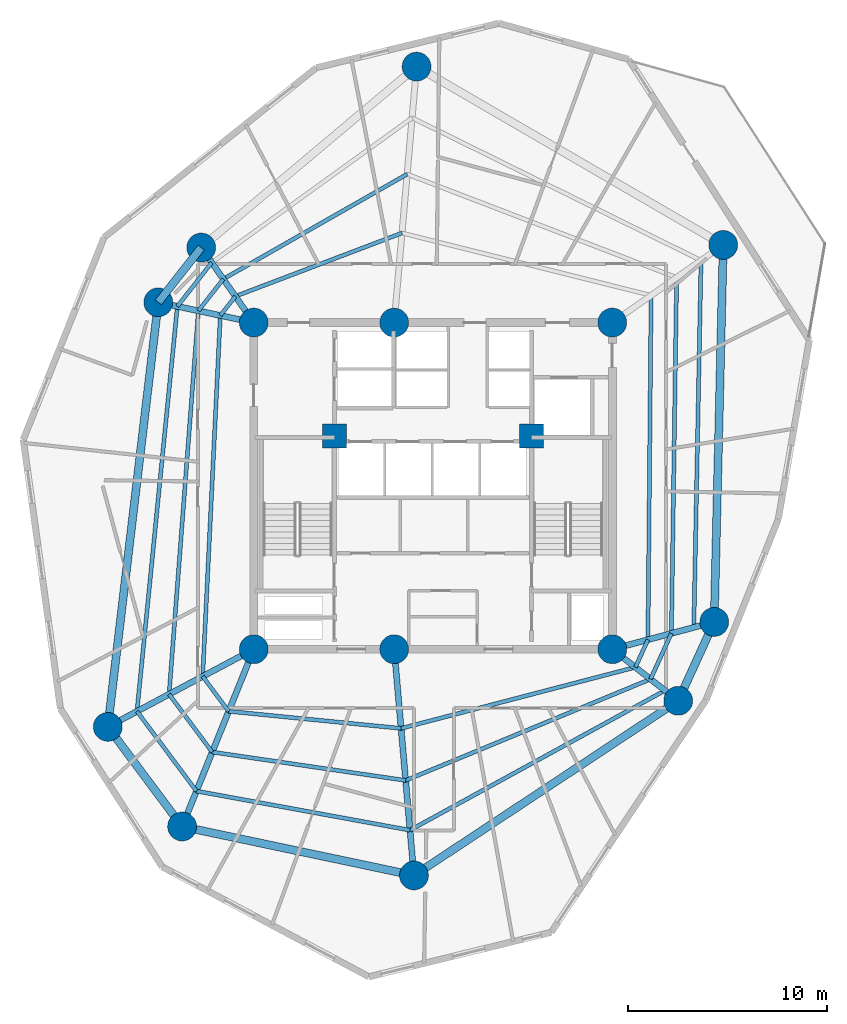
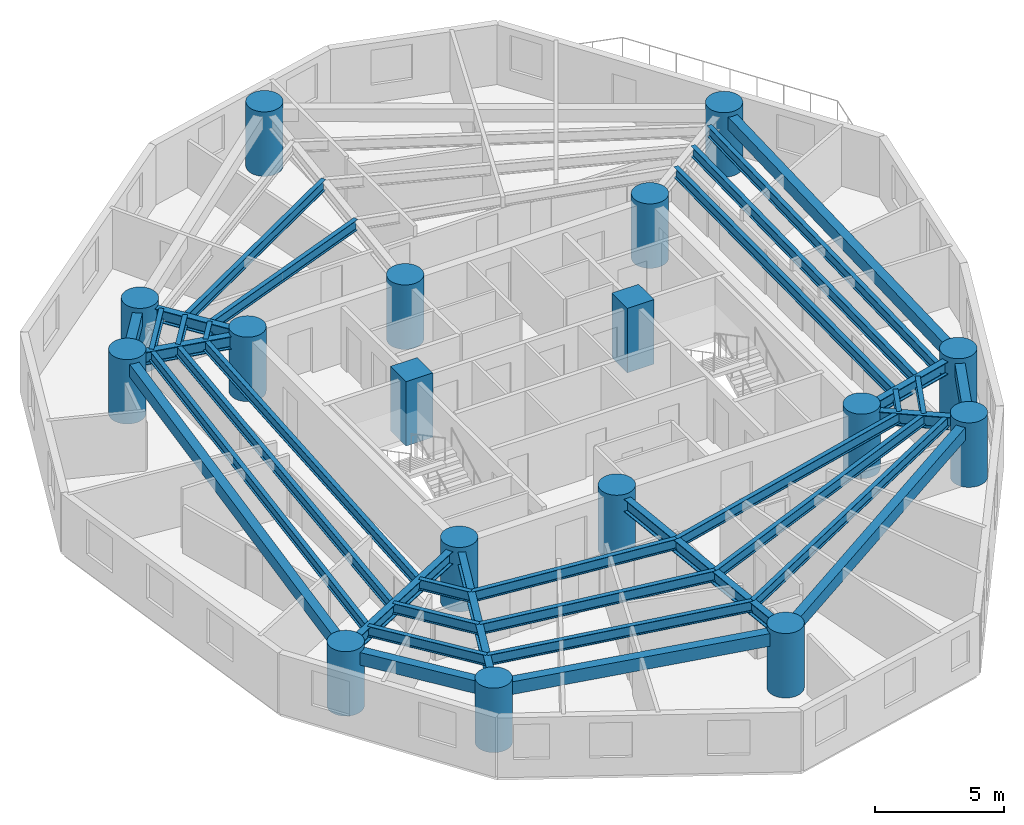
# One storey, part 1 of 8: 36 beams, 17 columns.
"""IFC4 building model written with IfcOpenShell, lengths in metres."""

from ifc_helpers import new_model, si_unit, direction, frame, origin, origin_with_axes, origin_2d, place, context, subcontext, project, spatial, rectangle, circle, i_section, extrude, source, transform, mapped, material, material_profile, profile_set, type_object, element, save


model = new_model("IFC4")

# Units and contexts
model_context = context("Model", 3, precision=1e-05, world=origin(), true_north=direction((0.0, 1.0)))
body_context = subcontext(model_context, "Body", "Model", "MODEL_VIEW")
ifc_project = project(units=[si_unit("LENGTHUNIT", "METRE"), si_unit("AREAUNIT", "SQUARE_METRE"), si_unit("VOLUMEUNIT", "CUBIC_METRE"), si_unit("PLANEANGLEUNIT", "RADIAN"), si_unit("MASSUNIT", "GRAM", prefix="KILO")], contexts=[model_context])

# Site, building, storey
site_placement = place(None, origin())
site = spatial("IfcSite", under=ifc_project, at=site_placement, CompositionType="ELEMENT")
building_placement = place(site_placement, origin())
building = spatial("IfcBuilding", under=site, at=building_placement, Name="Karkom Vertical University and Central Library", CompositionType="ELEMENT")
storey_placement = place(building_placement, frame((0.0, 0.0, 132.800048828125)))
storey = spatial("IfcBuildingStorey", under=building, at=storey_placement, Name="L37", CompositionType="ELEMENT", Elevation=132.800048828125)

# Columns
ifc_material_1 = material(Name="Concrete C50/60", Category="concrete")
ifc_material_profile_1 = material_profile(ifc_material_1, circle(Radius=0.72509765625, at=origin_2d()), Name="CFT-D1450")
ifc_profile_set_1 = profile_set([ifc_material_profile_1], Name="Concrete C50/60")
column_type_1 = type_object("IfcColumnType", Name="STR-COL-C-SC3", PredefinedType="COLUMN", material=ifc_profile_set_1)
shared_shape_1 = source(origin_with_axes(), body_context, "Body", "SweptSolid", [
    extrude(circle(Radius=0.72509765625, at=origin_2d()), origin(), (0.0, 0.0, 1.0), 3.050048828125),
])
for number, where, z_axis, x_axis, name in (
    (1, (19.5, 18.300048828125, 0.0), (0.0, 0.0, 1.0), (1.0, 0.0, 0.0), "Level 37 Spine Mega-Column SC-1"),
    (2, (26.550048828125, 18.300048828125, 0.0), (0.0, 0.0, 1.0), (1.0, 0.0, 0.0), "Level 37 Spine Mega-Column SC-2"),
    (3, (37.5, 18.300048828125, 0.0), (0.0, 0.0, 1.0), (1.0, 0.0, 0.0), "Level 37 Spine Mega-Column SC-3"),
    (4, (19.5, 34.699951171875, 0.0), (0.0, 0.0, 1.0), (1.0, 0.0, 0.0), "Level 37 Spine Mega-Column SC-4"),
    (5, (26.550048828125, 34.699951171875, 0.0), (0.0, 0.0, 1.0), (1.0, 0.0, 0.0), "Level 37 Spine Mega-Column SC-5"),
    (6, (37.5, 34.699951171875, 0.0), (0.0, 0.0, 1.0), (1.0, 0.0, 0.0), "Level 37 Spine Mega-Column SC-6"),
    (7, (42.618896484375, 19.672119140625, 0.0), (0.0, 0.0, 1.0), (1.0, 0.0, 0.0), "Level 37 Perimeter Mega-Column Z2-PC1"),
    (8, (43.070068359375, 38.60009765625, 0.0), (0.0, 0.0, 1.0), (1.0, 0.0, 0.0), "Level 37 Perimeter Mega-Column Z2-PC2"),
    (9, (27.674072265625, 47.551025390625, 0.0), (0.0, 0.0, 1.0), (1.0, 0.0, 0.0), "Level 37 Perimeter Mega-Column Z2-PC3"),
    (10, (16.862060546875, 38.468017578125, 0.0), (0.0, 0.0, 1.0), (1.0, 0.0, 0.0), "Level 37 Perimeter Mega-Column Z2-PC4"),
    (11, (14.70703125, 35.718994140625, 0.0), (0.0, 0.0, 1.0), (1.0, 0.0, 0.0), "Level 37 Perimeter Mega-Column Z2-PC5"),
    (12, (12.172119140625, 14.403076171875, 0.0), (0.0, 0.0, 1.0), (1.0, 0.0, 0.0), "Level 37 Perimeter Mega-Column Z2-PC6"),
    (13, (15.904052734375, 9.39892578125, 0.0), (0.0, 0.0, 1.0), (1.0, 0.0, 0.0), "Level 37 Perimeter Mega-Column Z2-PC7"),
    (14, (27.5439453125, 6.943115234375, 0.0), (0.0, 0.0, 1.0), (1.0, 0.0, 0.0), "Level 37 Perimeter Mega-Column Z2-PC8"),
    (15, (40.81005859375, 15.714111328125, 0.0), (0.0, 0.0, 1.0), (1.0, 0.0, 0.0), "Level 37 Perimeter Mega-Column Z2-PC9"),
):
    element("IfcColumn", number, at=place(storey_placement, frame(where, z_axis=z_axis, x_axis=x_axis)), inside=storey, type_object=column_type_1, Name=name, PredefinedType="COLUMN", context=body_context, shape_type="MappedRepresentation", body=[
        mapped(shared_shape_1, transform((0.0, 0.0, 0.0), scale=1.0)),
    ])
ifc_material_profile_2 = material_profile(ifc_material_1, rectangle(XDim=1.199951171875, YDim=1.199951171875, at=origin_2d()), Name="RC-1200x1200")
ifc_profile_set_2 = profile_set([ifc_material_profile_2], Name="Concrete C50/60")
column_type_2 = type_object("IfcColumnType", Name="STR-COL-C-CC1", PredefinedType="COLUMN", material=ifc_profile_set_2)
shared_shape_2 = source(origin_with_axes(), body_context, "Body", "SweptSolid", [
    extrude(rectangle(XDim=1.199951171875, YDim=1.199951171875, at=origin_2d()), origin(), (0.0, 0.0, 1.0), 3.050048828125),
])
for number, where, z_axis, x_axis, name in (
    (16, (23.550048828125, 29.0, 0.0), (0.0, 0.0, 1.0), (1.0, 0.0, 0.0), "Level 37 Core Node Column CC-1"),
    (17, (33.449951171875, 29.0, 0.0), (0.0, 0.0, 1.0), (1.0, 0.0, 0.0), "Level 37 Core Node Column CC-2"),
):
    element("IfcColumn", number, at=place(storey_placement, frame(where, z_axis=z_axis, x_axis=x_axis)), inside=storey, type_object=column_type_2, Name=name, PredefinedType="COLUMN", context=body_context, shape_type="MappedRepresentation", body=[
        mapped(shared_shape_2, transform((0.0, 0.0, 0.0), scale=1.0)),
    ])

# Beams
ifc_material_2 = material(Name="Precast concrete C45/55", Category="concrete")
ifc_material_profile_3 = material_profile(ifc_material_2, rectangle(XDim=0.39990234375, YDim=0.60009765625, at=origin_2d()), Name="SPB-400x600")
ifc_profile_set_3 = profile_set([ifc_material_profile_3], Name="Precast concrete C45/55")
beam_type_1 = type_object("IfcBeamType", Name="STR-BM-SP-1", PredefinedType="SPANDREL", material=ifc_profile_set_3)
shared_shape_3 = source(origin_with_axes(), body_context, "Body", "SweptSolid", [
    extrude(rectangle(XDim=0.39990234375, YDim=0.60009765625, at=origin_2d()), origin(), (0.0, 0.0, 1.0), 18.933349609375),
])
beam_1_placement = place(storey_placement, frame((42.618896484375, 19.672119140625, 2.52490234375), z_axis=(0.02382947333, 0.999716037783, 0.0), x_axis=(-0.999716037783, 0.02382947333, 0.0)))
element("IfcBeam", 18, at=beam_1_placement, inside=storey, type_object=beam_type_1, Name="Level 37 Perimeter Spandrel Beam 01", PredefinedType="SPANDREL", context=body_context, shape_type="MappedRepresentation", body=[
    mapped(shared_shape_3, transform((0.0, 0.0, 0.0), scale=1.0)),
])
shared_shape_4 = source(origin_with_axes(), body_context, "Body", "SweptSolid", [
    extrude(rectangle(XDim=0.39990234375, YDim=0.60009765625, at=origin_2d()), origin(), (0.0, 0.0, 1.0), 3.492919921875),
])
beam_2_placement = place(storey_placement, frame((16.862060546875, 38.468017578125, 2.52490234375), z_axis=(-0.616950700538, -0.787001799938, 0.0), x_axis=(0.787001799938, -0.616950700538, 0.0)))
element("IfcBeam", 19, at=beam_2_placement, inside=storey, type_object=beam_type_1, Name="Level 37 Perimeter Spandrel Beam 04", PredefinedType="SPANDREL", context=body_context, shape_type="MappedRepresentation", body=[
    mapped(shared_shape_4, transform((0.0, 0.0, 0.0), scale=1.0)),
])
shared_shape_5 = source(origin_with_axes(), body_context, "Body", "SweptSolid", [
    extrude(rectangle(XDim=0.39990234375, YDim=0.60009765625, at=origin_2d()), origin(), (0.0, 0.0, 1.0), 21.466064453125),
])
beam_3_placement = place(storey_placement, frame((14.70703125, 35.718994140625, 2.52490234375), z_axis=(-0.118088996795, -0.993003015522, 0.0), x_axis=(0.993003015522, -0.118088996795, 0.0)))
element("IfcBeam", 20, at=beam_3_placement, inside=storey, type_object=beam_type_1, Name="Level 37 Perimeter Spandrel Beam 05", PredefinedType="SPANDREL", context=body_context, shape_type="MappedRepresentation", body=[
    mapped(shared_shape_5, transform((0.0, 0.0, 0.0), scale=1.0)),
])
shared_shape_6 = source(origin_with_axes(), body_context, "Body", "SweptSolid", [
    extrude(rectangle(XDim=0.39990234375, YDim=0.60009765625, at=origin_2d()), origin(), (0.0, 0.0, 1.0), 6.242431640625),
])
beam_4_placement = place(storey_placement, frame((12.172119140625, 14.403076171875, 2.52490234375), z_axis=(0.59782643552, -0.801625569074, 0.0), x_axis=(0.801625569074, 0.59782643552, 0.0)))
element("IfcBeam", 21, at=beam_4_placement, inside=storey, type_object=beam_type_1, Name="Level 37 Perimeter Spandrel Beam 06", PredefinedType="SPANDREL", context=body_context, shape_type="MappedRepresentation", body=[
    mapped(shared_shape_6, transform((0.0, 0.0, 0.0), scale=1.0)),
])
shared_shape_7 = source(origin_with_axes(), body_context, "Body", "SweptSolid", [
    extrude(rectangle(XDim=0.39990234375, YDim=0.60009765625, at=origin_2d()), origin(), (0.0, 0.0, 1.0), 11.896240234375),
])
beam_5_placement = place(storey_placement, frame((15.904052734375, 9.39892578125, 2.52490234375), z_axis=(0.978459762135, -0.206437627101, 0.0), x_axis=(0.206437627101, 0.978459762135, 0.0)))
element("IfcBeam", 22, at=beam_5_placement, inside=storey, type_object=beam_type_1, Name="Level 37 Perimeter Spandrel Beam 07", PredefinedType="SPANDREL", context=body_context, shape_type="MappedRepresentation", body=[
    mapped(shared_shape_7, transform((0.0, 0.0, 0.0), scale=1.0)),
])
shared_shape_8 = source(origin_with_axes(), body_context, "Body", "SweptSolid", [
    extrude(rectangle(XDim=0.39990234375, YDim=0.60009765625, at=origin_2d()), origin(), (0.0, 0.0, 1.0), 15.903564453125),
])
beam_6_placement = place(storey_placement, frame((27.5439453125, 6.943115234375, 2.52490234375), z_axis=(0.834165069331, 0.551514856652, 0.0), x_axis=(-0.551514856652, 0.834165069331, 0.0)))
element("IfcBeam", 23, at=beam_6_placement, inside=storey, type_object=beam_type_1, Name="Level 37 Perimeter Spandrel Beam 08", PredefinedType="SPANDREL", context=body_context, shape_type="MappedRepresentation", body=[
    mapped(shared_shape_8, transform((0.0, 0.0, 0.0), scale=1.0)),
])
shared_shape_9 = source(origin_with_axes(), body_context, "Body", "SweptSolid", [
    extrude(rectangle(XDim=0.39990234375, YDim=0.60009765625, at=origin_2d()), origin(), (0.0, 0.0, 1.0), 4.351806640625),
])
beam_7_placement = place(storey_placement, frame((40.81005859375, 15.714111328125, 2.52490234375), z_axis=(0.415657668422, 0.909521139217, 0.0), x_axis=(-0.909521139217, 0.415657668422, 0.0)))
element("IfcBeam", 24, at=beam_7_placement, inside=storey, type_object=beam_type_1, Name="Level 37 Perimeter Spandrel Beam 09", PredefinedType="SPANDREL", context=body_context, shape_type="MappedRepresentation", body=[
    mapped(shared_shape_9, transform((0.0, 0.0, 0.0), scale=1.0)),
])
ifc_material_3 = material(Name="Steel S355", Category="steel")
ifc_material_profile_4 = material_profile(ifc_material_3, i_section(OverallWidth=0.199951171875, OverallDepth=0.5, WebThickness=0.01025390625, FlangeThickness=0.01611328125, FilletRadius=0.02099609375, at=origin_2d()), Name="IPE 500")
ifc_profile_set_4 = profile_set([ifc_material_profile_4], Name="Steel S355")
beam_type_2 = type_object("IfcBeamType", Name="STR-BM-SB-IPE500", PredefinedType="BEAM", material=ifc_profile_set_4)
shared_shape_10 = source(origin_with_axes(), body_context, "Body", "SweptSolid", [
    extrude(i_section(OverallWidth=0.199951171875, OverallDepth=0.5, WebThickness=0.01025390625, FlangeThickness=0.01611328125, FilletRadius=0.02099609375, at=origin_2d()), origin(), (0.0, 0.0, 1.0), 17.285400390625),
])
beam_8_placement = place(storey_placement, frame((39.29150390625, 18.7802734375, 2.574951171875), z_axis=(0.009138294648, 0.999958244914, 0.0), x_axis=(-0.999958244914, 0.009138294648, 0.0)))
element("IfcBeam", 25, at=beam_8_placement, inside=storey, type_object=beam_type_2, Name="Level 37 Secondary Composite Floor Beam 1.01", PredefinedType="BEAM", context=body_context, shape_type="MappedRepresentation", body=[
    mapped(shared_shape_10, transform((0.0, 0.0, 0.0), scale=1.0)),
])
shared_shape_11 = source(origin_with_axes(), body_context, "Body", "SweptSolid", [
    extrude(i_section(OverallWidth=0.199951171875, OverallDepth=0.5, WebThickness=0.01025390625, FlangeThickness=0.01611328125, FilletRadius=0.02099609375, at=origin_2d()), origin(), (0.0, 0.0, 1.0), 8.950439453125),
])
beam_9_placement = place(storey_placement, frame((26.943359375, 39.197998046875, 2.574951171875), z_axis=(-0.93478901494, -0.355203459368, 0.0), x_axis=(0.355203459368, -0.93478901494, 0.0)))
element("IfcBeam", 26, at=beam_9_placement, inside=storey, type_object=beam_type_2, Name="Level 37 Secondary Composite Floor Beam 1.03", PredefinedType="BEAM", context=body_context, shape_type="MappedRepresentation", body=[
    mapped(shared_shape_11, transform((0.0, 0.0, 0.0), scale=1.0)),
])
shared_shape_12 = source(origin_with_axes(), body_context, "Body", "SweptSolid", [
    extrude(i_section(OverallWidth=0.199951171875, OverallDepth=0.5, WebThickness=0.01025390625, FlangeThickness=0.01611328125, FilletRadius=0.02099609375, at=origin_2d()), origin(), (0.0, 0.0, 1.0), 1.222412109375),
])
beam_10_placement = place(storey_placement, frame((18.57666015625, 36.018798828125, 2.574951171875), z_axis=(-0.616895037184, -0.787045432677, 0.0), x_axis=(0.787045432677, -0.616895037184, 0.0)))
element("IfcBeam", 27, at=beam_10_placement, inside=storey, type_object=beam_type_2, Name="Level 37 Secondary Composite Floor Beam 1.04", PredefinedType="BEAM", context=body_context, shape_type="MappedRepresentation", body=[
    mapped(shared_shape_12, transform((0.0, 0.0, 0.0), scale=1.0)),
])
shared_shape_13 = source(origin_with_axes(), body_context, "Body", "SweptSolid", [
    extrude(i_section(OverallWidth=0.199951171875, OverallDepth=0.5, WebThickness=0.01025390625, FlangeThickness=0.01611328125, FilletRadius=0.02099609375, at=origin_2d()), origin(), (0.0, 0.0, 1.0), 18.142333984375),
])
beam_11_placement = place(storey_placement, frame((17.822509765625, 35.056640625, 2.574951171875), z_axis=(-0.048902644774, -0.998803549921, 0.0), x_axis=(0.998803549921, -0.048902644774, 0.0)))
element("IfcBeam", 28, at=beam_11_placement, inside=storey, type_object=beam_type_2, Name="Level 37 Secondary Composite Floor Beam 1.05", PredefinedType="BEAM", context=body_context, shape_type="MappedRepresentation", body=[
    mapped(shared_shape_13, transform((0.0, 0.0, 0.0), scale=1.0)),
])
shared_shape_14 = source(origin_with_axes(), body_context, "Body", "SweptSolid", [
    extrude(i_section(OverallWidth=0.199951171875, OverallDepth=0.5, WebThickness=0.01025390625, FlangeThickness=0.01611328125, FilletRadius=0.02099609375, at=origin_2d()), origin(), (0.0, 0.0, 1.0), 2.1845703125),
])
beam_12_placement = place(storey_placement, frame((16.935302734375, 16.93603515625, 2.574951171875), z_axis=(0.597870130664, -0.801592980795, 0.0), x_axis=(0.801592980795, 0.597870130664, 0.0)))
element("IfcBeam", 29, at=beam_12_placement, inside=storey, type_object=beam_type_2, Name="Level 37 Secondary Composite Floor Beam 1.06", PredefinedType="BEAM", context=body_context, shape_type="MappedRepresentation", body=[
    mapped(shared_shape_14, transform((0.0, 0.0, 0.0), scale=1.0)),
])
shared_shape_15 = source(origin_with_axes(), body_context, "Body", "SweptSolid", [
    extrude(i_section(OverallWidth=0.199951171875, OverallDepth=0.5, WebThickness=0.01025390625, FlangeThickness=0.01611328125, FilletRadius=0.02099609375, at=origin_2d()), origin(), (0.0, 0.0, 1.0), 8.698974609375),
])
beam_13_placement = place(storey_placement, frame((18.241455078125, 15.184814453125, 2.574951171875), z_axis=(0.995105588045, -0.098817349903, 0.0), x_axis=(0.098817349903, 0.995105588045, 0.0)))
element("IfcBeam", 30, at=beam_13_placement, inside=storey, type_object=beam_type_2, Name="Level 37 Secondary Composite Floor Beam 1.07", PredefinedType="BEAM", context=body_context, shape_type="MappedRepresentation", body=[
    mapped(shared_shape_15, transform((0.0, 0.0, 0.0), scale=1.0)),
])
shared_shape_16 = source(origin_with_axes(), body_context, "Body", "SweptSolid", [
    extrude(i_section(OverallWidth=0.199951171875, OverallDepth=0.5, WebThickness=0.01025390625, FlangeThickness=0.01611328125, FilletRadius=0.02099609375, at=origin_2d()), origin(), (0.0, 0.0, 1.0), 12.154541015625),
])
beam_14_placement = place(storey_placement, frame((26.89794921875, 14.3251953125, 2.574951171875), z_axis=(0.967579719768, 0.252565805077, 0.0), x_axis=(-0.252565805077, 0.967579719768, 0.0)))
element("IfcBeam", 31, at=beam_14_placement, inside=storey, type_object=beam_type_2, Name="Level 37 Secondary Composite Floor Beam 1.08", PredefinedType="BEAM", context=body_context, shape_type="MappedRepresentation", body=[
    mapped(shared_shape_16, transform((0.0, 0.0, 0.0), scale=1.0)),
])
shared_shape_17 = source(origin_with_axes(), body_context, "Body", "SweptSolid", [
    extrude(i_section(OverallWidth=0.199951171875, OverallDepth=0.5, WebThickness=0.01025390625, FlangeThickness=0.01611328125, FilletRadius=0.02099609375, at=origin_2d()), origin(), (0.0, 0.0, 1.0), 1.52294921875),
])
beam_15_placement = place(storey_placement, frame((38.658447265625, 17.39501953125, 2.574951171875), z_axis=(0.415649898107, 0.909524690266, 0.0), x_axis=(-0.909524690266, 0.415649898107, 0.0)))
element("IfcBeam", 32, at=beam_15_placement, inside=storey, type_object=beam_type_2, Name="Level 37 Secondary Composite Floor Beam 1.09", PredefinedType="BEAM", context=body_context, shape_type="MappedRepresentation", body=[
    mapped(shared_shape_17, transform((0.0, 0.0, 0.0), scale=1.0)),
])
shared_shape_18 = source(origin_with_axes(), body_context, "Body", "SweptSolid", [
    extrude(i_section(OverallWidth=0.199951171875, OverallDepth=0.5, WebThickness=0.01025390625, FlangeThickness=0.01611328125, FilletRadius=0.02099609375, at=origin_2d()), origin(), (0.0, 0.0, 1.0), 17.8681640625),
])
beam_16_placement = place(storey_placement, frame((40.468994140625, 19.095703125, 2.574951171875), z_axis=(0.014647239676, 0.999892723431, 0.0), x_axis=(-0.999892723431, 0.014647239676, 0.0)))
element("IfcBeam", 33, at=beam_16_placement, inside=storey, type_object=beam_type_2, Name="Level 37 Secondary Composite Floor Beam 2.01", PredefinedType="BEAM", context=body_context, shape_type="MappedRepresentation", body=[
    mapped(shared_shape_18, transform((0.0, 0.0, 0.0), scale=1.0)),
])
shared_shape_19 = source(origin_with_axes(), body_context, "Body", "SweptSolid", [
    extrude(i_section(OverallWidth=0.199951171875, OverallDepth=0.5, WebThickness=0.01025390625, FlangeThickness=0.01611328125, FilletRadius=0.02099609375, at=origin_2d()), origin(), (0.0, 0.0, 1.0), 10.629150390625),
])
beam_17_placement = place(storey_placement, frame((27.201904296875, 42.153564453125, 2.574951171875), z_axis=(-0.868539813491, -0.495619402748, 0.0), x_axis=(0.495619402748, -0.868539813491, 0.0)))
element("IfcBeam", 34, at=beam_17_placement, inside=storey, type_object=beam_type_2, Name="Level 37 Secondary Composite Floor Beam 2.03", PredefinedType="BEAM", context=body_context, shape_type="MappedRepresentation", body=[
    mapped(shared_shape_19, transform((0.0, 0.0, 0.0), scale=1.0)),
])
shared_shape_20 = source(origin_with_axes(), body_context, "Body", "SweptSolid", [
    extrude(i_section(OverallWidth=0.199951171875, OverallDepth=0.5, WebThickness=0.01025390625, FlangeThickness=0.01611328125, FilletRadius=0.02099609375, at=origin_2d()), origin(), (0.0, 0.0, 1.0), 2.02587890625),
])
beam_18_placement = place(storey_placement, frame((17.969970703125, 36.885498046875, 2.574951171875), z_axis=(-0.616889733535, -0.787049589708, 0.0), x_axis=(0.787049589708, -0.616889733535, 0.0)))
element("IfcBeam", 35, at=beam_18_placement, inside=storey, type_object=beam_type_2, Name="Level 37 Secondary Composite Floor Beam 2.04", PredefinedType="BEAM", context=body_context, shape_type="MappedRepresentation", body=[
    mapped(shared_shape_20, transform((0.0, 0.0, 0.0), scale=1.0)),
])
shared_shape_21 = source(origin_with_axes(), body_context, "Body", "SweptSolid", [
    extrude(i_section(OverallWidth=0.199951171875, OverallDepth=0.5, WebThickness=0.01025390625, FlangeThickness=0.01611328125, FilletRadius=0.02099609375, at=origin_2d()), origin(), (0.0, 0.0, 1.0), 19.307373046875),
])
beam_19_placement = place(storey_placement, frame((16.72021484375, 35.291015625, 2.574951171875), z_axis=(-0.07616078645, -0.997095549387, 0.0), x_axis=(0.997095549387, -0.07616078645, 0.0)))
element("IfcBeam", 36, at=beam_19_placement, inside=storey, type_object=beam_type_2, Name="Level 37 Secondary Composite Floor Beam 2.05", PredefinedType="BEAM", context=body_context, shape_type="MappedRepresentation", body=[
    mapped(shared_shape_21, transform((0.0, 0.0, 0.0), scale=1.0)),
])
shared_shape_22 = source(origin_with_axes(), body_context, "Body", "SweptSolid", [
    extrude(i_section(OverallWidth=0.199951171875, OverallDepth=0.5, WebThickness=0.01025390625, FlangeThickness=0.01611328125, FilletRadius=0.02099609375, at=origin_2d()), origin(), (0.0, 0.0, 1.0), 3.62060546875),
])
beam_20_placement = place(storey_placement, frame((15.249755859375, 16.039794921875, 2.574951171875), z_axis=(0.59784003707, -0.801615425298, 0.0), x_axis=(0.801615425298, 0.59784003707, 0.0)))
element("IfcBeam", 37, at=beam_20_placement, inside=storey, type_object=beam_type_2, Name="Level 37 Secondary Composite Floor Beam 2.06", PredefinedType="BEAM", context=body_context, shape_type="MappedRepresentation", body=[
    mapped(shared_shape_22, transform((0.0, 0.0, 0.0), scale=1.0)),
])
shared_shape_23 = source(origin_with_axes(), body_context, "Body", "SweptSolid", [
    extrude(i_section(OverallWidth=0.199951171875, OverallDepth=0.5, WebThickness=0.01025390625, FlangeThickness=0.01611328125, FilletRadius=0.02099609375, at=origin_2d()), origin(), (0.0, 0.0, 1.0), 9.816162109375),
])
beam_21_placement = place(storey_placement, frame((17.414306640625, 13.137451171875, 2.574951171875), z_axis=(0.989413295367, -0.145125225069, 0.0), x_axis=(0.145125225069, 0.989413295367, 0.0)))
element("IfcBeam", 38, at=beam_21_placement, inside=storey, type_object=beam_type_2, Name="Level 37 Secondary Composite Floor Beam 2.07", PredefinedType="BEAM", context=body_context, shape_type="MappedRepresentation", body=[
    mapped(shared_shape_23, transform((0.0, 0.0, 0.0), scale=1.0)),
])
shared_shape_24 = source(origin_with_axes(), body_context, "Body", "SweptSolid", [
    extrude(i_section(OverallWidth=0.199951171875, OverallDepth=0.5, WebThickness=0.01025390625, FlangeThickness=0.01611328125, FilletRadius=0.02099609375, at=origin_2d()), origin(), (0.0, 0.0, 1.0), 13.304443359375),
])
beam_22_placement = place(storey_placement, frame((27.12646484375, 11.712890625, 2.574951171875), z_axis=(0.924011243398, 0.382365299255, 0.0), x_axis=(-0.382365299255, 0.924011243398, 0.0)))
element("IfcBeam", 39, at=beam_22_placement, inside=storey, type_object=beam_type_2, Name="Level 37 Secondary Composite Floor Beam 2.08", PredefinedType="BEAM", context=body_context, shape_type="MappedRepresentation", body=[
    mapped(shared_shape_24, transform((0.0, 0.0, 0.0), scale=1.0)),
])
shared_shape_25 = source(origin_with_axes(), body_context, "Body", "SweptSolid", [
    extrude(i_section(OverallWidth=0.199951171875, OverallDepth=0.5, WebThickness=0.01025390625, FlangeThickness=0.01611328125, FilletRadius=0.02099609375, at=origin_2d()), origin(), (0.0, 0.0, 1.0), 2.52392578125),
])
beam_23_placement = place(storey_placement, frame((39.419921875, 16.800048828125, 2.574951171875), z_axis=(0.415638602127, 0.909529852408, 0.0), x_axis=(-0.909529852408, 0.415638602127, 0.0)))
element("IfcBeam", 40, at=beam_23_placement, inside=storey, type_object=beam_type_2, Name="Level 37 Secondary Composite Floor Beam 2.09", PredefinedType="BEAM", context=body_context, shape_type="MappedRepresentation", body=[
    mapped(shared_shape_25, transform((0.0, 0.0, 0.0), scale=1.0)),
])
shared_shape_26 = source(origin_with_axes(), body_context, "Body", "SweptSolid", [
    extrude(i_section(OverallWidth=0.199951171875, OverallDepth=0.5, WebThickness=0.01025390625, FlangeThickness=0.01611328125, FilletRadius=0.02099609375, at=origin_2d()), origin(), (0.0, 0.0, 1.0), 18.42578125),
])
beam_24_placement = place(storey_placement, frame((41.59521484375, 19.397705078125, 2.574951171875), z_axis=(0.019583298818, 0.999808228816, 0.0), x_axis=(-0.999808228816, 0.019583298818, 0.0)))
element("IfcBeam", 41, at=beam_24_placement, inside=storey, type_object=beam_type_2, Name="Level 37 Secondary Composite Floor Beam 3.01", PredefinedType="BEAM", context=body_context, shape_type="MappedRepresentation", body=[
    mapped(shared_shape_26, transform((0.0, 0.0, 0.0), scale=1.0)),
])
shared_shape_27 = source(origin_with_axes(), body_context, "Body", "SweptSolid", [
    extrude(i_section(OverallWidth=0.199951171875, OverallDepth=0.5, WebThickness=0.01025390625, FlangeThickness=0.01611328125, FilletRadius=0.02099609375, at=origin_2d()), origin(), (0.0, 0.0, 1.0), 2.79443359375),
])
beam_25_placement = place(storey_placement, frame((17.3896484375, 37.71435546875, 2.574951171875), z_axis=(-0.616972344898, -0.786984831894, 0.0), x_axis=(0.786984831894, -0.616972344898, 0.0)))
element("IfcBeam", 42, at=beam_25_placement, inside=storey, type_object=beam_type_2, Name="Level 37 Secondary Composite Floor Beam 3.04", PredefinedType="BEAM", context=body_context, shape_type="MappedRepresentation", body=[
    mapped(shared_shape_27, transform((0.0, 0.0, 0.0), scale=1.0)),
])
shared_shape_28 = source(origin_with_axes(), body_context, "Body", "SweptSolid", [
    extrude(i_section(OverallWidth=0.199951171875, OverallDepth=0.5, WebThickness=0.01025390625, FlangeThickness=0.01611328125, FilletRadius=0.02099609375, at=origin_2d()), origin(), (0.0, 0.0, 1.0), 20.43359375),
])
beam_26_placement = place(storey_placement, frame((15.66552734375, 35.51513671875, 2.574951171875), z_axis=(-0.099239913611, -0.995063535432, 0.0), x_axis=(0.995063535432, -0.099239913611, 0.0)))
element("IfcBeam", 43, at=beam_26_placement, inside=storey, type_object=beam_type_2, Name="Level 37 Secondary Composite Floor Beam 3.05", PredefinedType="BEAM", context=body_context, shape_type="MappedRepresentation", body=[
    mapped(shared_shape_28, transform((0.0, 0.0, 0.0), scale=1.0)),
])
shared_shape_29 = source(origin_with_axes(), body_context, "Body", "SweptSolid", [
    extrude(i_section(OverallWidth=0.199951171875, OverallDepth=0.5, WebThickness=0.01025390625, FlangeThickness=0.01611328125, FilletRadius=0.02099609375, at=origin_2d()), origin(), (0.0, 0.0, 1.0), 4.993896484375),
])
beam_27_placement = place(storey_placement, frame((13.6376953125, 15.182373046875, 2.574951171875), z_axis=(0.597846775537, -0.801610399745, 0.0), x_axis=(0.801610399745, 0.597846775537, 0.0)))
element("IfcBeam", 44, at=beam_27_placement, inside=storey, type_object=beam_type_2, Name="Level 37 Secondary Composite Floor Beam 3.06", PredefinedType="BEAM", context=body_context, shape_type="MappedRepresentation", body=[
    mapped(shared_shape_29, transform((0.0, 0.0, 0.0), scale=1.0)),
])
shared_shape_30 = source(origin_with_axes(), body_context, "Body", "SweptSolid", [
    extrude(i_section(OverallWidth=0.199951171875, OverallDepth=0.5, WebThickness=0.01025390625, FlangeThickness=0.01611328125, FilletRadius=0.02099609375, at=origin_2d()), origin(), (0.0, 0.0, 1.0), 10.900390625),
])
beam_28_placement = place(storey_placement, frame((16.623291015625, 11.17919921875, 2.574951171875), z_axis=(0.98362026014, -0.180253110495, 0.0), x_axis=(0.180253110495, 0.98362026014, 0.0)))
element("IfcBeam", 45, at=beam_28_placement, inside=storey, type_object=beam_type_2, Name="Level 37 Secondary Composite Floor Beam 3.07", PredefinedType="BEAM", context=body_context, shape_type="MappedRepresentation", body=[
    mapped(shared_shape_30, transform((0.0, 0.0, 0.0), scale=1.0)),
])
shared_shape_31 = source(origin_with_axes(), body_context, "Body", "SweptSolid", [
    extrude(i_section(OverallWidth=0.199951171875, OverallDepth=0.5, WebThickness=0.01025390625, FlangeThickness=0.01611328125, FilletRadius=0.02099609375, at=origin_2d()), origin(), (0.0, 0.0, 1.0), 14.599609375),
])
beam_29_placement = place(storey_placement, frame((27.34521484375, 9.21435546875, 2.574951171875), z_axis=(0.876928143127, 0.480621505752, 0.0), x_axis=(-0.480621505752, 0.876928143127, 0.0)))
element("IfcBeam", 46, at=beam_29_placement, inside=storey, type_object=beam_type_2, Name="Level 37 Secondary Composite Floor Beam 3.08", PredefinedType="BEAM", context=body_context, shape_type="MappedRepresentation", body=[
    mapped(shared_shape_31, transform((0.0, 0.0, 0.0), scale=1.0)),
])
ifc_material_profile_5 = material_profile(ifc_material_3, i_section(OverallWidth=0.300048828125, OverallDepth=0.60009765625, WebThickness=0.015380859375, FlangeThickness=0.030029296875, FilletRadius=0.027099609375, at=origin_2d()), Name="HE 600 B")
ifc_profile_set_5 = profile_set([ifc_material_profile_5], Name="Steel S355")
beam_type_3 = type_object("IfcBeamType", Name="STR-BM-SB-HE600", PredefinedType="USERDEFINED", material=ifc_profile_set_5)
shared_shape_32 = source(origin_with_axes(), body_context, "Body", "SweptSolid", [
    extrude(i_section(OverallWidth=0.300048828125, OverallDepth=0.60009765625, WebThickness=0.015380859375, FlangeThickness=0.030029296875, FilletRadius=0.027099609375, at=origin_2d()), origin(), (0.0, 0.0, 1.0), 5.299560546875),
])
beam_30_placement = place(storey_placement, frame((37.5, 18.300048828125, 2.52490234375), z_axis=(0.965903833688, 0.258901108663, 0.0), x_axis=(-0.258901108663, 0.965903833688, 0.0)))
element("IfcBeam", 47, at=beam_30_placement, inside=storey, type_object=beam_type_3, Name="Level 37 Radial Frame Girder 01", ObjectType="GIRDER", PredefinedType="USERDEFINED", context=body_context, shape_type="MappedRepresentation", body=[
    mapped(shared_shape_32, transform((0.0, 0.0, 0.0), scale=1.0)),
])
shared_shape_33 = source(origin_with_axes(), body_context, "Body", "SweptSolid", [
    extrude(i_section(OverallWidth=0.300048828125, OverallDepth=0.60009765625, WebThickness=0.015380859375, FlangeThickness=0.030029296875, FilletRadius=0.027099609375, at=origin_2d()), origin(), (0.0, 0.0, 1.0), 4.599609375),
])
beam_31_placement = place(storey_placement, frame((19.5, 34.699951171875, 2.52490234375), z_axis=(-0.573505090764, 0.819201996377, 0.0), x_axis=(-0.819201996377, -0.573505090764, 0.0)))
element("IfcBeam", 48, at=beam_31_placement, inside=storey, type_object=beam_type_3, Name="Level 37 Radial Frame Girder 04", ObjectType="GIRDER", PredefinedType="USERDEFINED", context=body_context, shape_type="MappedRepresentation", body=[
    mapped(shared_shape_33, transform((0.0, 0.0, 0.0), scale=1.0)),
])
shared_shape_34 = source(origin_with_axes(), body_context, "Body", "SweptSolid", [
    extrude(i_section(OverallWidth=0.300048828125, OverallDepth=0.60009765625, WebThickness=0.015380859375, FlangeThickness=0.030029296875, FilletRadius=0.027099609375, at=origin_2d()), origin(), (0.0, 0.0, 1.0), 4.900146484375),
])
beam_32_placement = place(storey_placement, frame((19.5, 34.699951171875, 2.52490234375), z_axis=(-0.978136559131, 0.207963630695, 0.0), x_axis=(-0.207963630695, -0.978136559131, 0.0)))
element("IfcBeam", 49, at=beam_32_placement, inside=storey, type_object=beam_type_3, Name="Level 37 Radial Frame Girder 05", ObjectType="GIRDER", PredefinedType="USERDEFINED", context=body_context, shape_type="MappedRepresentation", body=[
    mapped(shared_shape_34, transform((0.0, 0.0, 0.0), scale=1.0)),
])
shared_shape_35 = source(origin_with_axes(), body_context, "Body", "SweptSolid", [
    extrude(i_section(OverallWidth=0.300048828125, OverallDepth=0.60009765625, WebThickness=0.015380859375, FlangeThickness=0.030029296875, FilletRadius=0.027099609375, at=origin_2d()), origin(), (0.0, 0.0, 1.0), 8.299560546875),
])
beam_33_placement = place(storey_placement, frame((19.5, 18.300048828125, 2.52490234375), z_axis=(-0.882914163564, -0.469534428746, 0.0), x_axis=(0.469534428746, -0.882914163564, 0.0)))
element("IfcBeam", 50, at=beam_33_placement, inside=storey, type_object=beam_type_3, Name="Level 37 Radial Frame Girder 06", ObjectType="GIRDER", PredefinedType="USERDEFINED", context=body_context, shape_type="MappedRepresentation", body=[
    mapped(shared_shape_35, transform((0.0, 0.0, 0.0), scale=1.0)),
])
shared_shape_36 = source(origin_with_axes(), body_context, "Body", "SweptSolid", [
    extrude(i_section(OverallWidth=0.300048828125, OverallDepth=0.60009765625, WebThickness=0.015380859375, FlangeThickness=0.030029296875, FilletRadius=0.027099609375, at=origin_2d()), origin(), (0.0, 0.0, 1.0), 9.60009765625),
])
beam_34_placement = place(storey_placement, frame((19.5, 18.300048828125, 2.52490234375), z_axis=(-0.374576157034, -0.927196151082, 0.0), x_axis=(0.927196151082, -0.374576157034, 0.0)))
element("IfcBeam", 51, at=beam_34_placement, inside=storey, type_object=beam_type_3, Name="Level 37 Radial Frame Girder 07", ObjectType="GIRDER", PredefinedType="USERDEFINED", context=body_context, shape_type="MappedRepresentation", body=[
    mapped(shared_shape_36, transform((0.0, 0.0, 0.0), scale=1.0)),
])
shared_shape_37 = source(origin_with_axes(), body_context, "Body", "SweptSolid", [
    extrude(i_section(OverallWidth=0.300048828125, OverallDepth=0.60009765625, WebThickness=0.015380859375, FlangeThickness=0.030029296875, FilletRadius=0.027099609375, at=origin_2d()), origin(), (0.0, 0.0, 1.0), 11.400390625),
])
beam_35_placement = place(storey_placement, frame((26.550048828125, 18.300048828125, 2.52490234375), z_axis=(0.087181295702, -0.996192462168, 0.0), x_axis=(0.996192462168, 0.087181295702, 0.0)))
element("IfcBeam", 52, at=beam_35_placement, inside=storey, type_object=beam_type_3, Name="Level 37 Radial Frame Girder 08", ObjectType="GIRDER", PredefinedType="USERDEFINED", context=body_context, shape_type="MappedRepresentation", body=[
    mapped(shared_shape_37, transform((0.0, 0.0, 0.0), scale=1.0)),
])
shared_shape_38 = source(origin_with_axes(), body_context, "Body", "SweptSolid", [
    extrude(i_section(OverallWidth=0.300048828125, OverallDepth=0.60009765625, WebThickness=0.015380859375, FlangeThickness=0.030029296875, FilletRadius=0.027099609375, at=origin_2d()), origin(), (0.0, 0.0, 1.0), 4.200439453125),
])
beam_36_placement = place(storey_placement, frame((37.5, 18.300048828125, 2.52490234375), z_axis=(0.788029660796, -0.615637274461, 0.0), x_axis=(0.615637274461, 0.788029660796, 0.0)))
element("IfcBeam", 53, at=beam_36_placement, inside=storey, type_object=beam_type_3, Name="Level 37 Radial Frame Girder 09", ObjectType="GIRDER", PredefinedType="USERDEFINED", context=body_context, shape_type="MappedRepresentation", body=[
    mapped(shared_shape_38, transform((0.0, 0.0, 0.0), scale=1.0)),
])

save(model, "model.ifc")
